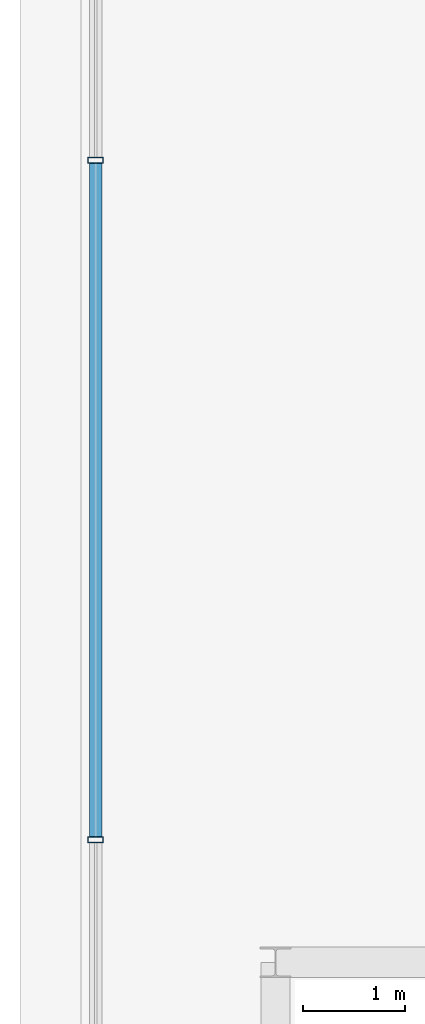
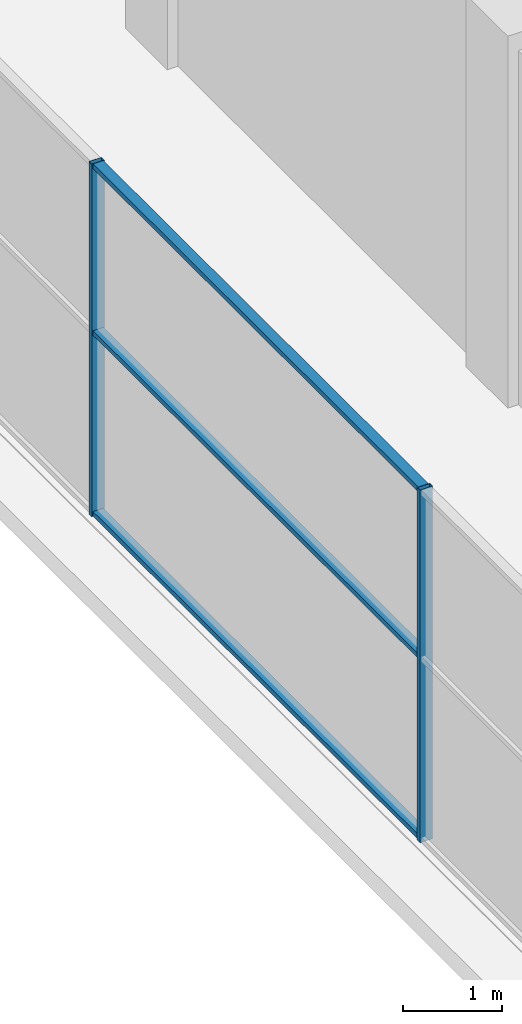
# One storey, part 11 of 26: 5 members, 1 element without a shape of its own.
"""IFC4 building model written with IfcOpenShell, lengths in metres."""

from ifc_helpers import new_model, si_unit, direction, frame, origin, origin_2d, place, context, subcontext, project, spatial, hollow_rectangle, extrude, source, transform, mapped, material, layer, layer_set, material_profile, profile_set, type_object, element, aggregate, save


model = new_model("IFC4")

# Units and contexts
model_context = context("Model", 3, precision=1e-05, world=origin(), true_north=direction((0.0, 1.0)))
body_context = subcontext(model_context, "Body", "Model", "MODEL_VIEW")
ifc_project = project(units=[si_unit("LENGTHUNIT", "METRE"), si_unit("AREAUNIT", "SQUARE_METRE"), si_unit("VOLUMEUNIT", "CUBIC_METRE"), si_unit("PLANEANGLEUNIT", "RADIAN"), si_unit("MASSUNIT", "GRAM", prefix="KILO")], contexts=[model_context])

# Site, building, storey
site_placement = place(None, origin())
site = spatial("IfcSite", under=ifc_project, at=site_placement, CompositionType="ELEMENT")
building_placement = place(site_placement, origin())
building = spatial("IfcBuilding", under=site, at=building_placement, Name="Zarnakvel Exchange Tower", CompositionType="ELEMENT")
storey_placement = place(building_placement, frame((0.0, 0.0, 280.800048828125)))
storey = spatial("IfcBuildingStorey", under=building, at=storey_placement, Name="Crown L79", CompositionType="ELEMENT", Elevation=280.800048828125)

# Curtain wall, members
ifc_material = material(Name="Architectural Bronze Anodised Aluminium", Category="aluminium")
ifc_layer = layer(ifc_material, 0.14990234375)
ifc_layer_set = layer_set([ifc_layer], Name="Architectural Bronze Anodised Aluminium")
curtain_wall_type = type_object("IfcCurtainWallType", Name="CW-07", PredefinedType="NOTDEFINED", material=ifc_layer_set)
curtain_wall_placement = place(storey_placement, origin())
curtain_wall = element("IfcCurtainWall", 1, at=curtain_wall_placement, inside=storey, type_object=curtain_wall_type, Name="Crown L79 Curtain Wall CW-Crown L79-W (CW-07)", PredefinedType="NOTDEFINED")
ifc_material_profile_1 = material_profile(ifc_material, hollow_rectangle(XDim=0.14990234375, YDim=0.06005859375, WallThickness=0.00390625, at=origin_2d()))
ifc_profile_set_1 = profile_set([ifc_material_profile_1], Name="Architectural Bronze Anodised Aluminium")
member_type_1 = type_object("IfcMemberType", Name="CWM-07", PredefinedType="MULLION", material=ifc_profile_set_1)
shared_shape_1 = source(origin(), body_context, "Body", "SweptSolid", [
    extrude(hollow_rectangle(XDim=0.14990234375, YDim=0.06005859375, WallThickness=0.00390625, at=origin_2d()), origin(), (0.0, 0.0, 1.0), 4.35986328125),
])
member_1_placement = place(storey_placement, frame((-19.360107421875, 0.0, 0.0), z_axis=(0.0, 0.0, 1.0), x_axis=(-1.0, 0.0, 0.0)))
member_1 = element("IfcMember", 2, at=member_1_placement, type_object=member_type_1, Name="CW-07 mullion 3", PredefinedType="MULLION", context=body_context, shape_type="MappedRepresentation", body=[
    mapped(shared_shape_1, transform((0.0, 0.0, 0.0), x_axis=(1.0, 0.0, 0.0), y_axis=(0.0, 1.0, 0.0), z_axis=(0.0, 0.0, 1.0), scale=1.0)),
])
member_2_placement = place(storey_placement, frame((-19.360107421875, 6.64990234375, 0.0), z_axis=(0.0, 0.0, 1.0), x_axis=(-1.0, 0.0, 0.0)))
member_2 = element("IfcMember", 3, at=member_2_placement, type_object=member_type_1, Name="CW-07 mullion 4", PredefinedType="MULLION", context=body_context, shape_type="MappedRepresentation", body=[
    mapped(shared_shape_1, transform((0.0, 0.0, 0.0), x_axis=(1.0, 0.0, 0.0), y_axis=(0.0, 1.0, 0.0), z_axis=(0.0, 0.0, 1.0), scale=1.0)),
])
ifc_material_profile_2 = material_profile(ifc_material, hollow_rectangle(XDim=0.1201171875, YDim=0.06005859375, WallThickness=0.00390625, at=origin_2d()))
ifc_profile_set_2 = profile_set([ifc_material_profile_2], Name="Architectural Bronze Anodised Aluminium")
member_type_2 = type_object("IfcMemberType", Name="CWT-07", PredefinedType="USERDEFINED", material=ifc_profile_set_2)
shared_shape_2 = source(origin(), body_context, "Body", "SweptSolid", [
    extrude(hollow_rectangle(XDim=0.1201171875, YDim=0.06005859375, WallThickness=0.00390625, at=origin_2d()), origin(), (0.0, 0.0, 1.0), 6.590087890625),
])
member_3_placement = place(storey_placement, frame((-19.360107421875, 0.030029296875, 0.030029296875), z_axis=(0.0, 1.0, 0.0), x_axis=(-1.0, 0.0, 0.0)))
member_3 = element("IfcMember", 4, at=member_3_placement, type_object=member_type_2, Name="CW-07 transom 3.1", ObjectType="TRANSOM", PredefinedType="USERDEFINED", context=body_context, shape_type="MappedRepresentation", body=[
    mapped(shared_shape_2, transform((0.0, 0.0, 0.0), x_axis=(1.0, 0.0, 0.0), y_axis=(0.0, 1.0, 0.0), z_axis=(0.0, 0.0, 1.0), scale=1.0)),
])
member_4_placement = place(storey_placement, frame((-19.360107421875, 0.030029296875, 2.26708984375), z_axis=(0.0, 1.0, 0.0), x_axis=(-1.0, 0.0, 0.0)))
member_4 = element("IfcMember", 5, at=member_4_placement, type_object=member_type_2, Name="CW-07 transom 3.2", ObjectType="TRANSOM", PredefinedType="USERDEFINED", context=body_context, shape_type="MappedRepresentation", body=[
    mapped(shared_shape_2, transform((0.0, 0.0, 0.0), x_axis=(1.0, 0.0, 0.0), y_axis=(0.0, 1.0, 0.0), z_axis=(0.0, 0.0, 1.0), scale=1.0)),
])
member_5_placement = place(storey_placement, frame((-19.360107421875, 0.030029296875, 4.329833984375), z_axis=(0.0, 1.0, 0.0), x_axis=(-1.0, 0.0, 0.0)))
member_5 = element("IfcMember", 6, at=member_5_placement, type_object=member_type_2, Name="CW-07 transom 3.3", ObjectType="TRANSOM", PredefinedType="USERDEFINED", context=body_context, shape_type="MappedRepresentation", body=[
    mapped(shared_shape_2, transform((0.0, 0.0, 0.0), x_axis=(1.0, 0.0, 0.0), y_axis=(0.0, 1.0, 0.0), z_axis=(0.0, 0.0, 1.0), scale=1.0)),
])
aggregate(curtain_wall, [member_1, member_2, member_3, member_4, member_5])

save(model, "model.ifc")
